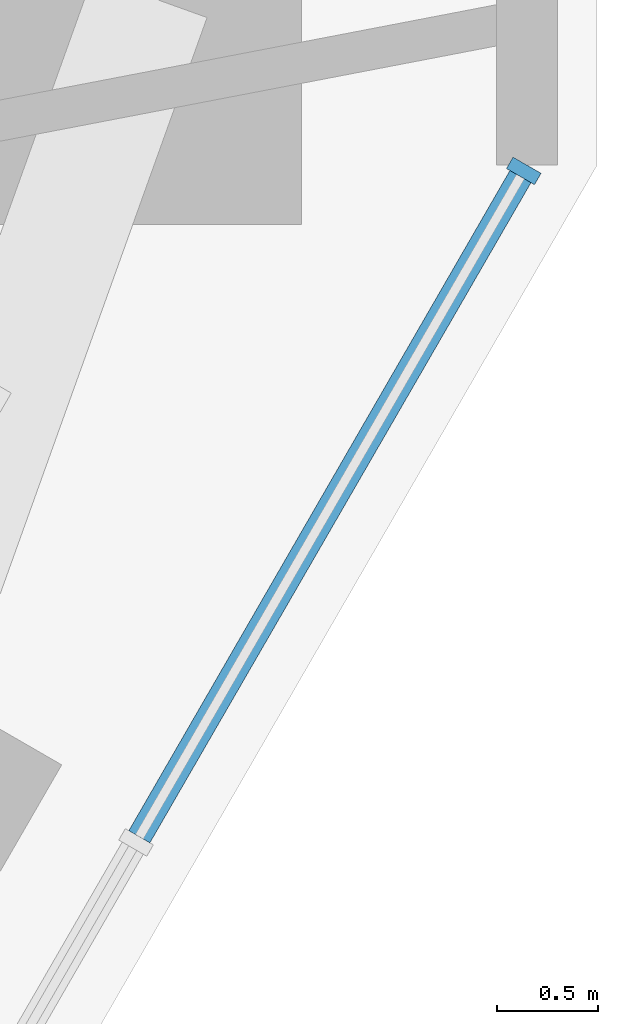
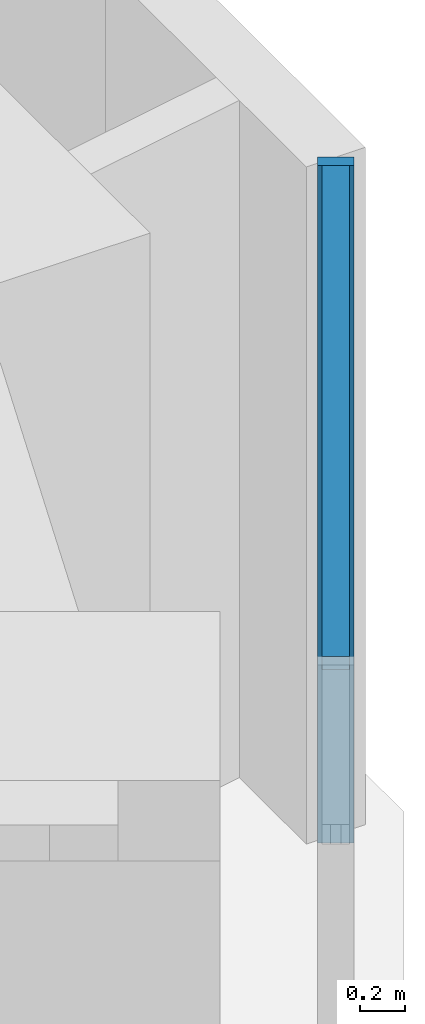
# One storey, part 6 of 16: 2 members, 1 element without a shape of its own.
"""IFC4 building model written with IfcOpenShell, lengths in metres."""

import ifcopenshell
import ifcopenshell.guid

model = None  # the IFC model being written
_history = None  # IfcOwnerHistory: only IFC2X3 demands one
_inside = {}  # id of a spatial element -> (the spatial element, [elements in it])
_under = {}  # id of a project, library or spatial element -> (it, [spatial elements below it])
_declared = {}  # id of a project -> (the project, [libraries it declares])
_typed = {}  # id of a type object -> (the type object, [elements of that type])
_made_of = {}  # id of a material, layer set ... -> (it, [elements and type objects made of it])


def new_model(schema):
    """Start an empty IFC model of exactly this schema.

    Asked for "IFC4X3", IfcOpenShell would pick the latest addendum, in which some entities
    have other attributes; the version numbers below select the first issue.
    IFC2X3 requires an IfcOwnerHistory on every rooted entity: one is made here for all.
    """
    global model, _history
    if schema == "IFC4X3":
        model = ifcopenshell.file(schema_version=(4, 3, 0, 0))
    else:
        model = ifcopenshell.file(schema=schema)
    _inside.clear()
    _under.clear()
    _declared.clear()
    _typed.clear()
    _made_of.clear()
    _history = None
    if model.schema == "IFC2X3":
        org = make("IfcOrganization", Name="unknown")
        user = make(
            "IfcPersonAndOrganization",
            ThePerson=make("IfcPerson", FamilyName="unknown"),
            TheOrganization=org,
        )
        app = make(
            "IfcApplication",
            ApplicationDeveloper=org,
            Version="unknown",
            ApplicationFullName="unknown",
            ApplicationIdentifier="unknown",
        )
        _history = make(
            "IfcOwnerHistory",
            OwningUser=user,
            OwningApplication=app,
            ChangeAction="ADDED",
            CreationDate=0,
        )
    return model


def make(cls, **values):
    """One entity of the class cls with the attributes given. An attribute that is None is left unset."""
    return model.create_entity(
        cls, **{name: value for name, value in values.items() if value is not None}
    )


def rooted(cls, **values):
    """An entity with a GlobalId (a new one), such as an element, a storey or a relation."""
    return make(cls, GlobalId=ifcopenshell.guid.new(), OwnerHistory=_history, **values)


def si_unit(unit_type, name, prefix=None):
    """IfcSIUnit, for example si_unit("LENGTHUNIT", "METRE", prefix="MILLI")."""
    return make("IfcSIUnit", UnitType=unit_type, Prefix=prefix, Name=name)


def assignment(units):
    """IfcUnitAssignment: the units of a project."""
    return None if units is None else make("IfcUnitAssignment", Units=units)


def point(xyz):
    """IfcCartesianPoint."""
    return None if xyz is None else make("IfcCartesianPoint", Coordinates=xyz)


def direction(xyz):
    """IfcDirection."""
    return None if xyz is None else make("IfcDirection", DirectionRatios=xyz)


def frame(location, z_axis=None, x_axis=None):
    """IfcAxis2Placement3D, a coordinate frame: its origin and axes. An axis left out is left unset."""
    return make(
        "IfcAxis2Placement3D",
        Location=point(location),
        Axis=direction(z_axis),
        RefDirection=direction(x_axis),
    )


def frame_2d(location, x_axis=None):
    """IfcAxis2Placement2D, a coordinate frame in the plane: its origin and x axis."""
    return make(
        "IfcAxis2Placement2D", Location=point(location), RefDirection=direction(x_axis)
    )


def origin():
    """The frame at (0, 0, 0) with its axes left unset."""
    return frame((0.0, 0.0, 0.0))


def origin_2d():
    """The frame at (0, 0) in the plane with its x axis left unset."""
    return frame_2d((0.0, 0.0))


def place(relative_to, where):
    """IfcLocalPlacement: puts the frame where relative to a parent placement (None: the world)."""
    return make(
        "IfcLocalPlacement", PlacementRelTo=relative_to, RelativePlacement=where
    )


def context(
    kind, dimensions, precision=None, world=None, true_north=None, identifier=None
):
    """IfcGeometricRepresentationContext, for example the 3D "Model" context."""
    return make(
        "IfcGeometricRepresentationContext",
        ContextIdentifier=identifier,
        ContextType=kind,
        CoordinateSpaceDimension=dimensions,
        Precision=precision,
        WorldCoordinateSystem=world,
        TrueNorth=true_north,
    )


def subcontext(parent, identifier, kind, view, scale=None):
    """IfcGeometricRepresentationSubContext, for example "Body" below "Model"."""
    return make(
        "IfcGeometricRepresentationSubContext",
        ContextIdentifier=identifier,
        ContextType=kind,
        ParentContext=parent,
        TargetScale=scale,
        TargetView=view,
    )


def project(units=None, contexts=None):
    """IfcProject with its units and contexts."""
    return rooted(
        "IfcProject",
        Name="project",
        RepresentationContexts=contexts,
        UnitsInContext=assignment(units),
    )


def spatial(cls, under=None, at=None, **own):
    """A site, building, storey or space (cls), placed at a placement, below another one or the project."""
    s = rooted(cls, ObjectPlacement=at, **own)
    if under is not None:
        _under.setdefault(under.id(), (under, []))[1].append(s)
    return s


def profile(cls, at=None, kind="AREA", **sizes):
    """A parametric profile (cls). Its sizes go by their IFC names, for example OverallWidth=200.0."""
    return make(cls, ProfileType=kind, Position=at, **sizes)


def rectangle(**sizes):
    """IfcRectangleProfileDef."""
    return profile("IfcRectangleProfileDef", **sizes)


def extrude(swept, where, along, depth):
    """IfcExtrudedAreaSolid: the profile swept, set in the frame where, extruded along a direction by depth."""
    return make(
        "IfcExtrudedAreaSolid",
        SweptArea=swept,
        Position=where,
        ExtrudedDirection=direction(along),
        Depth=depth,
    )


def shape(context_of_items, identifier, shape_type, items):
    """IfcShapeRepresentation: the items that make up one representation, for example the "Body"."""
    return make(
        "IfcShapeRepresentation",
        ContextOfItems=context_of_items,
        RepresentationIdentifier=identifier,
        RepresentationType=shape_type,
        Items=items,
    )


def material(Name=None, Category=None):
    """IfcMaterial."""
    return make("IfcMaterial", Name=Name, Category=Category)


def material_profile(
    of_material, cross_section, Name=None, Category=None, Priority=None
):
    """IfcMaterialProfile: a cross section and its material."""
    return make(
        "IfcMaterialProfile",
        Name=Name,
        Material=of_material,
        Profile=cross_section,
        Priority=Priority,
        Category=Category,
    )


def profile_set(profiles, Name=None, composite=None):
    """IfcMaterialProfileSet."""
    return make(
        "IfcMaterialProfileSet",
        Name=Name,
        MaterialProfiles=profiles,
        CompositeProfile=composite,
    )


def made_of(thing, what):
    """Note that an element or type object is made of a material, layer set ...; save() writes the relation."""
    if what is not None:
        _made_of.setdefault(what.id(), (what, []))[1].append(thing)
    return thing


def type_object(cls, material=None, **own):
    """A type object (cls), such as IfcWallType, which elements share."""
    return made_of(rooted(cls, **own), material)


def element(
    cls,
    number,
    at=None,
    inside=None,
    cuts=None,
    type_object=None,
    material=None,
    context=None,
    identifier="Body",
    shape_type=None,
    held_by="IfcProductDefinitionShape",
    body=None,
    shapes=None,
    **own,
):
    """One element of the class cls, such as IfcWall. Its Tag is "e" and its number.

    at: its placement. inside: the storey or other place that contains it. cuts: it is an
    opening in that element (IfcRelVoidsElement). A single representation is given by context,
    identifier, shape_type and body (its items); several are given by shapes. held_by: the class
    of the entity that holds the representations. save() writes the other relations.
    """
    e = rooted(cls, Tag="e%d" % number, ObjectPlacement=at, **own)
    if body is not None:
        shapes = [shape(context, identifier, shape_type, body)]
    if shapes is not None:
        e.Representation = make(held_by, Representations=shapes)
    if inside is not None:
        _inside.setdefault(inside.id(), (inside, []))[1].append(e)
    if cuts is not None:
        rooted(
            "IfcRelVoidsElement", RelatingBuildingElement=cuts, RelatedOpeningElement=e
        )
    if type_object is not None:
        _typed.setdefault(type_object.id(), (type_object, []))[1].append(e)
    return made_of(e, material)


def aggregate(whole, parts):
    """IfcRelAggregates: a whole, such as a stair, and the parts it consists of."""
    return rooted("IfcRelAggregates", RelatingObject=whole, RelatedObjects=parts)


def save(model, path):
    """Write the relations noted so far, then the file.

    IfcRelAggregates (storeys below a building ...), IfcRelContainedInSpatialStructure (elements
    in a storey), IfcRelDefinesByType, IfcRelAssociatesMaterial and IfcRelDeclares: one each for
    every whole, place, type object, material and project.
    """
    for whole, parts in _under.values():
        aggregate(whole, parts)
    for where, things in _inside.values():
        rooted(
            "IfcRelContainedInSpatialStructure",
            RelatedElements=things,
            RelatingStructure=where,
        )
    for kind, things in _typed.values():
        rooted("IfcRelDefinesByType", RelatedObjects=things, RelatingType=kind)
    for what, things in _made_of.values():
        rooted("IfcRelAssociatesMaterial", RelatedObjects=things, RelatingMaterial=what)
    for by, libraries in _declared.values():
        rooted("IfcRelDeclares", RelatingContext=by, RelatedDefinitions=libraries)
    model.write(path)


model = new_model("IFC4")

# Units and contexts
model_context = context("Model", 3, precision=1e-05, world=origin(), true_north=direction((0.0, 1.0)))
body_context = subcontext(model_context, "Body", "Model", "MODEL_VIEW")
ifc_project = project(units=[si_unit("LENGTHUNIT", "METRE"), si_unit("AREAUNIT", "SQUARE_METRE"), si_unit("VOLUMEUNIT", "CUBIC_METRE"), si_unit("PLANEANGLEUNIT", "RADIAN"), si_unit("MASSUNIT", "GRAM", prefix="KILO")], contexts=[model_context])

# Site, building, storey
site_placement = place(None, origin())
site = spatial("IfcSite", under=ifc_project, at=site_placement, CompositionType="ELEMENT")
building_placement = place(site_placement, origin())
building = spatial("IfcBuilding", under=site, at=building_placement, Name="Sandreach Pilgrim Tower", CompositionType="ELEMENT")
storey_placement = place(building_placement, frame((0.0, 0.0, 209.800048828125)))
storey = spatial("IfcBuildingStorey", under=building, at=storey_placement, Name="L52", CompositionType="ELEMENT", Elevation=209.800048828125)

# Curtain wall, members
ifc_material_1 = material(Name="Aluminium framed curtain wall", Category="aluminium")
curtain_wall_type = type_object("IfcCurtainWallType", Name="Upper hotel tower curtain wall", PredefinedType="NOTDEFINED", material=ifc_material_1)
curtain_wall_placement = place(storey_placement, origin())
curtain_wall = element("IfcCurtainWall", 1, at=curtain_wall_placement, inside=storey, type_object=curtain_wall_type, Name="CW-3 L52 SE", PredefinedType="NOTDEFINED")
ifc_material_2 = material(Name="Aluminium extrusion", Category="aluminium")
ifc_material_profile_1 = material_profile(ifc_material_2, rectangle(XDim=0.06494140625, YDim=0.159912109375, at=origin_2d()), Name="CW-3M 65X160")
ifc_profile_set_1 = profile_set([ifc_material_profile_1], Name="Aluminium extrusion")
member_type_1 = type_object("IfcMemberType", Name="CW-3 mullion", PredefinedType="MULLION", material=ifc_profile_set_1)
member_1_placement = place(storey_placement, frame((27.00390625, 4.451904296875, 0.0), z_axis=(0.0, 0.0, 1.0), x_axis=(-0.5, -0.866025403784, 0.0)))
member_1 = element("IfcMember", 2, at=member_1_placement, type_object=member_type_1, Name="CW-3 mullion 1", PredefinedType="MULLION", context=body_context, shape_type="SweptSolid", body=[
    extrude(rectangle(XDim=0.06494140625, YDim=0.159912109375, at=origin_2d()), origin(), (0.0, 0.0, 1.0), 3.639892578125),
])
ifc_material_3 = material(Name="Aluminium extrusion", Category="aluminium")
ifc_material_profile_2 = material_profile(ifc_material_3, rectangle(XDim=0.1201171875, YDim=0.070068359375, at=origin_2d()), Name="CW-3T 120X70")
ifc_profile_set_2 = profile_set([ifc_material_profile_2], Name="Aluminium extrusion")
member_type_2 = type_object("IfcMemberType", Name="CW-3 transom", PredefinedType="USERDEFINED", material=ifc_profile_set_2)
member_2_placement = place(storey_placement, frame((26.987548828125, 4.423828125, 3.60498046875), z_axis=(-0.499944992379, -0.86605716012, 0.0), x_axis=(0.86605716012, -0.499944992379, 0.0)))
member_2 = element("IfcMember", 3, at=member_2_placement, type_object=member_type_2, Name="CW-3 head transom 1", ObjectType="TRANSOM", PredefinedType="USERDEFINED", context=body_context, shape_type="SweptSolid", body=[
    extrude(rectangle(XDim=0.1201171875, YDim=0.070068359375, at=origin_2d()), origin(), (0.0, 0.0, 1.0), 3.76708984375),
])
aggregate(curtain_wall, [member_1, member_2])

save(model, "model.ifc")
